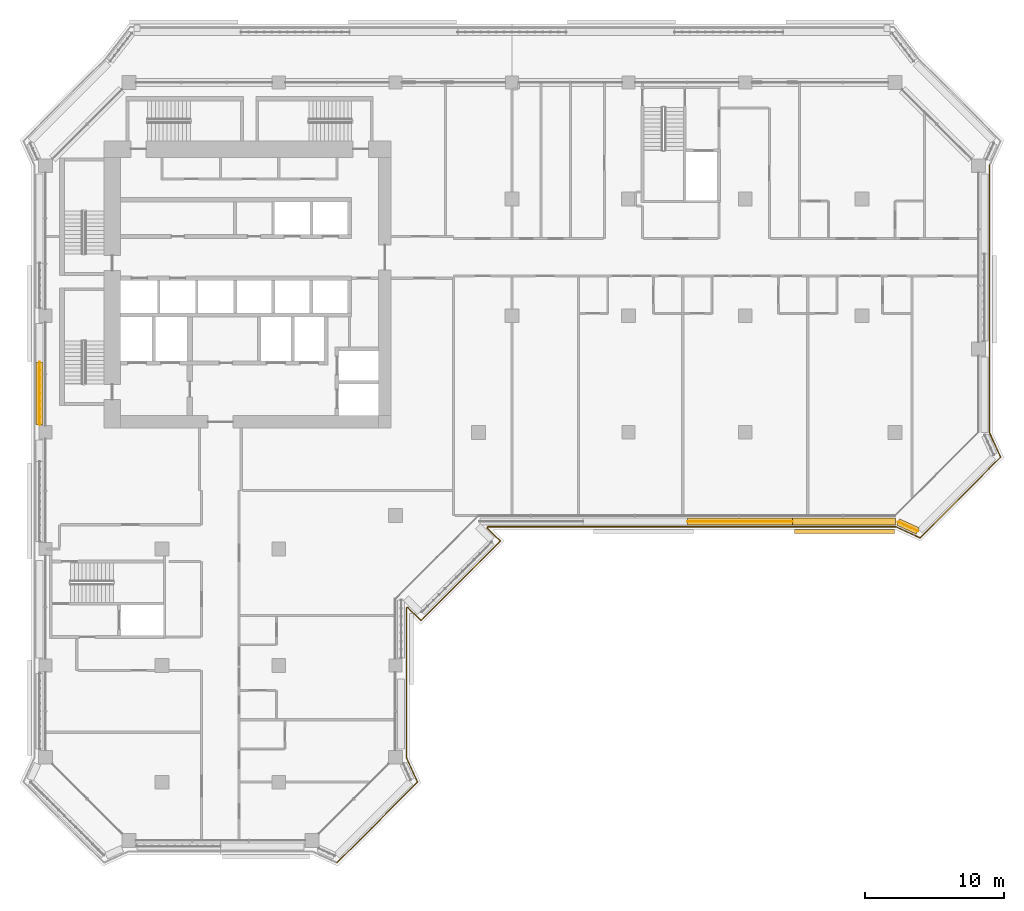
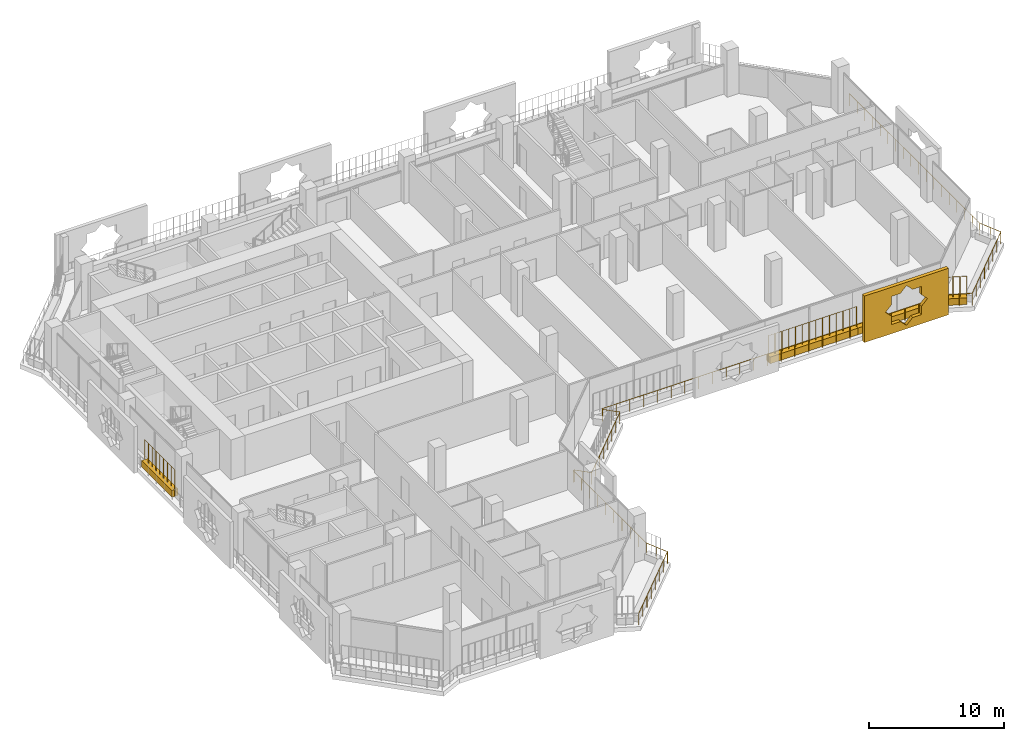
# One storey, part 19 of 22: 5 coverings, 4 railings.
"""IFC4 building model written with IfcOpenShell, lengths in metres."""

from ifc_helpers import new_model, si_unit, direction, frame, origin, origin_2d, place, context, subcontext, project, spatial, polyline, rectangle, circle, outline, extrude, material, material_profile, profile_set, type_object, element, save


model = new_model("IFC4")

# Units and contexts
model_context = context("Model", 3, precision=1e-05, world=origin(), true_north=direction((0.0, 1.0)))
body_context = subcontext(model_context, "Body", "Model", "MODEL_VIEW")
ifc_project = project(units=[si_unit("LENGTHUNIT", "METRE"), si_unit("AREAUNIT", "SQUARE_METRE"), si_unit("VOLUMEUNIT", "CUBIC_METRE"), si_unit("PLANEANGLEUNIT", "RADIAN"), si_unit("MASSUNIT", "GRAM", prefix="KILO")], contexts=[model_context])

# Site, building, storey
site_placement = place(None, origin())
site = spatial("IfcSite", under=ifc_project, at=site_placement, CompositionType="ELEMENT")
building_placement = place(site_placement, origin())
building = spatial("IfcBuilding", under=site, at=building_placement, Name="Kawkab Arch Medical Tower", CompositionType="ELEMENT")
storey_placement = place(building_placement, frame((0.0, 0.0, 187.800048828125)))
storey = spatial("IfcBuildingStorey", under=building, at=storey_placement, Name="L43", CompositionType="ELEMENT", Elevation=187.800048828125)

# Railing
ifc_material_1 = material(Name="Bronze anodised aluminium guard", Category="aluminium")
railing_type_1 = type_object("IfcRailingType", Name="Loggia and terrace guard 1100", PredefinedType="GUARDRAIL", material=ifc_material_1)
railing_1_placement = place(storey_placement, frame((68.0, -5.95703125, 0.0)))
element("IfcRailing", 1, at=railing_1_placement, inside=storey, type_object=railing_type_1, Name="Guard L43.LOG-01.1.2", PredefinedType="GUARDRAIL", context=body_context, shape_type="SweptSolid", body=[
    extrude(circle(Radius=0.02392578125, at=origin_2d()), frame((0.0, 0.0, 1.076171875), z_axis=(0.0, -1.0, 0.0), x_axis=(1.0, 0.0, 0.0)), (0.0, 0.0, 1.0), 19.285888671875),
    extrude(circle(Radius=0.02392578125, at=origin_2d()), frame((0.0, -19.285888671875, 1.076171875), z_axis=(0.414509773934, -0.910044860056, 0.0), x_axis=(0.910044860056, 0.414509773934, 0.0)), (0.0, 0.0, 1.0), 1.92529296875),
    extrude(circle(Radius=0.02392578125, at=origin_2d()), frame((0.798095703125, -21.0380859375, 1.076171875), z_axis=(-0.707106781187, -0.707106781187, 0.0), x_axis=(0.707106781187, -0.707106781187, 0.0)), (0.0, 0.0, 1.0), 8.20654296875),
    extrude(circle(Radius=0.02392578125, at=origin_2d()), frame((-5.0048828125, -26.841064453125, 1.076171875), z_axis=(-0.910044860056, 0.414509773934, 0.0), x_axis=(-0.414509773934, -0.910044860056, 0.0)), (0.0, 0.0, 1.0), 1.92529296875),
    extrude(circle(Radius=0.02392578125, at=origin_2d()), frame((-6.757080078125, -26.04296875, 1.076171875), z_axis=(-1.0, 0.0, 0.0), x_axis=(0.0, -1.0, 0.0)), (0.0, 0.0, 1.0), 29.392822265625),
    extrude(circle(Radius=0.02392578125, at=origin_2d()), frame((-36.14990234375, -26.04296875, 1.076171875), z_axis=(-0.383763674343, -0.923431341387, 0.0), x_axis=(0.923431341387, -0.383763674343, 0.0)), (0.0, 0.0, 1.0), 0.101806640625),
    extrude(circle(Radius=0.02392578125, at=origin_2d()), frame((-36.18896484375, -26.136962890625, 1.076171875), z_axis=(0.707015335112, -0.707198215437, 0.0), x_axis=(0.707198215437, 0.707015335112, 0.0)), (0.0, 0.0, 1.0), 1.3349609375),
    extrude(circle(Radius=0.02392578125, at=origin_2d()), frame((-35.2451171875, -27.0810546875, 1.076171875), z_axis=(-0.707106781187, -0.707106781187, 0.0), x_axis=(0.707106781187, -0.707106781187, 0.0)), (0.0, 0.0, 1.0), 8.084716796875),
    extrude(circle(Radius=0.02392578125, at=origin_2d()), frame((-40.9619140625, -32.7978515625, 1.076171875), z_axis=(-0.707198215437, 0.707015335112, 0.0), x_axis=(-0.707015335112, -0.707198215437, 0.0)), (0.0, 0.0, 1.0), 1.3349609375),
    extrude(circle(Radius=0.02392578125, at=origin_2d()), frame((-41.906005859375, -31.85400390625, 1.076171875), z_axis=(-0.923431341387, -0.383763674343, 0.0), x_axis=(0.383763674343, -0.923431341387, 0.0)), (0.0, 0.0, 1.0), 0.101806640625),
    extrude(circle(Radius=0.02392578125, at=origin_2d()), frame((-42.0, -31.89306640625, 1.076171875), z_axis=(0.0, -1.0, 0.0), x_axis=(1.0, 0.0, 0.0)), (0.0, 0.0, 1.0), 10.79296875),
    extrude(circle(Radius=0.02392578125, at=origin_2d()), frame((-42.0, -42.68603515625, 1.076171875), z_axis=(0.414557610759, -0.910023069687, 0.0), x_axis=(0.910023069687, 0.414557610759, 0.0)), (0.0, 0.0, 1.0), 1.92529296875),
    extrude(circle(Radius=0.02392578125, at=origin_2d()), frame((-41.201904296875, -44.43798828125, 1.076171875), z_axis=(-0.707106781187, -0.707106781187, 0.0), x_axis=(0.707106781187, -0.707106781187, 0.0)), (0.0, 0.0, 1.0), 8.20654296875),
    extrude(circle(Radius=0.02099609375, at=origin_2d()), origin(), (0.0, 0.0, 1.0), 1.052001953125),
    extrude(circle(Radius=0.02099609375, at=origin_2d()), frame((0.0, -1.134521484375, 0.0)), (0.0, 0.0, 1.0), 1.052001953125),
    extrude(circle(Radius=0.02099609375, at=origin_2d()), frame((0.0, -2.26904296875, 0.0)), (0.0, 0.0, 1.0), 1.052001953125),
    extrude(circle(Radius=0.02099609375, at=origin_2d()), frame((0.0, -3.4033203125, 0.0)), (0.0, 0.0, 1.0), 1.052001953125),
    extrude(circle(Radius=0.02099609375, at=origin_2d()), frame((0.0, -4.537841796875, 0.0)), (0.0, 0.0, 1.0), 1.052001953125),
    extrude(circle(Radius=0.02099609375, at=origin_2d()), frame((0.0, -5.67236328125, 0.0)), (0.0, 0.0, 1.0), 1.052001953125),
    extrude(circle(Radius=0.02099609375, at=origin_2d()), frame((0.0, -6.806884765625, 0.0)), (0.0, 0.0, 1.0), 1.052001953125),
    extrude(circle(Radius=0.02099609375, at=origin_2d()), frame((0.0, -7.941162109375, 0.0)), (0.0, 0.0, 1.0), 1.052001953125),
    extrude(circle(Radius=0.02099609375, at=origin_2d()), frame((0.0, -9.07568359375, 0.0)), (0.0, 0.0, 1.0), 1.052001953125),
    extrude(circle(Radius=0.02099609375, at=origin_2d()), frame((0.0, -10.210205078125, 0.0)), (0.0, 0.0, 1.0), 1.052001953125),
    extrude(circle(Radius=0.02099609375, at=origin_2d()), frame((0.0, -11.3447265625, 0.0)), (0.0, 0.0, 1.0), 1.052001953125),
    extrude(circle(Radius=0.02099609375, at=origin_2d()), frame((0.0, -12.47900390625, 0.0)), (0.0, 0.0, 1.0), 1.052001953125),
    extrude(circle(Radius=0.02099609375, at=origin_2d()), frame((0.0, -13.613525390625, 0.0)), (0.0, 0.0, 1.0), 1.052001953125),
    extrude(circle(Radius=0.02099609375, at=origin_2d()), frame((0.0, -14.748046875, 0.0)), (0.0, 0.0, 1.0), 1.052001953125),
    extrude(circle(Radius=0.02099609375, at=origin_2d()), frame((0.0, -15.882568359375, 0.0)), (0.0, 0.0, 1.0), 1.052001953125),
    extrude(circle(Radius=0.02099609375, at=origin_2d()), frame((0.0, -17.016845703125, 0.0)), (0.0, 0.0, 1.0), 1.052001953125),
    extrude(circle(Radius=0.02099609375, at=origin_2d()), frame((0.0, -18.1513671875, 0.0)), (0.0, 0.0, 1.0), 1.052001953125),
    extrude(circle(Radius=0.02099609375, at=origin_2d()), frame((0.0, -19.285888671875, 0.0)), (0.0, 0.0, 1.0), 1.052001953125),
    extrude(circle(Radius=0.02099609375, at=origin_2d()), frame((0.39892578125, -20.162109375, 0.0)), (0.0, 0.0, 1.0), 1.052001953125),
    extrude(circle(Radius=0.02099609375, at=origin_2d()), frame((0.798095703125, -21.0380859375, 0.0)), (0.0, 0.0, 1.0), 1.052001953125),
    extrude(circle(Radius=0.02099609375, at=origin_2d()), frame((-0.031005859375, -21.8671875, 0.0)), (0.0, 0.0, 1.0), 1.052001953125),
    extrude(circle(Radius=0.02099609375, at=origin_2d()), frame((-0.85986328125, -22.696044921875, 0.0)), (0.0, 0.0, 1.0), 1.052001953125),
    extrude(circle(Radius=0.02099609375, at=origin_2d()), frame((-1.68896484375, -23.525146484375, 0.0)), (0.0, 0.0, 1.0), 1.052001953125),
    extrude(circle(Radius=0.02099609375, at=origin_2d()), frame((-2.517822265625, -24.35400390625, 0.0)), (0.0, 0.0, 1.0), 1.052001953125),
    extrude(circle(Radius=0.02099609375, at=origin_2d()), frame((-3.346923828125, -25.18310546875, 0.0)), (0.0, 0.0, 1.0), 1.052001953125),
    extrude(circle(Radius=0.02099609375, at=origin_2d()), frame((-4.17578125, -26.011962890625, 0.0)), (0.0, 0.0, 1.0), 1.052001953125),
    extrude(circle(Radius=0.02099609375, at=origin_2d()), frame((-5.0048828125, -26.841064453125, 0.0)), (0.0, 0.0, 1.0), 1.052001953125),
    extrude(circle(Radius=0.02099609375, at=origin_2d()), frame((-5.880859375, -26.44189453125, 0.0)), (0.0, 0.0, 1.0), 1.052001953125),
    extrude(circle(Radius=0.02099609375, at=origin_2d()), frame((-6.757080078125, -26.04296875, 0.0)), (0.0, 0.0, 1.0), 1.052001953125),
    extrude(circle(Radius=0.02099609375, at=origin_2d()), frame((-7.932861328125, -26.04296875, 0.0)), (0.0, 0.0, 1.0), 1.052001953125),
    extrude(circle(Radius=0.02099609375, at=origin_2d()), frame((-9.1083984375, -26.04296875, 0.0)), (0.0, 0.0, 1.0), 1.052001953125),
    extrude(circle(Radius=0.02099609375, at=origin_2d()), frame((-10.2841796875, -26.04296875, 0.0)), (0.0, 0.0, 1.0), 1.052001953125),
    extrude(circle(Radius=0.02099609375, at=origin_2d()), frame((-11.4599609375, -26.04296875, 0.0)), (0.0, 0.0, 1.0), 1.052001953125),
    extrude(circle(Radius=0.02099609375, at=origin_2d()), frame((-12.6357421875, -26.04296875, 0.0)), (0.0, 0.0, 1.0), 1.052001953125),
    extrude(circle(Radius=0.02099609375, at=origin_2d()), frame((-13.811279296875, -26.04296875, 0.0)), (0.0, 0.0, 1.0), 1.052001953125),
    extrude(circle(Radius=0.02099609375, at=origin_2d()), frame((-14.987060546875, -26.04296875, 0.0)), (0.0, 0.0, 1.0), 1.052001953125),
    extrude(circle(Radius=0.02099609375, at=origin_2d()), frame((-16.162841796875, -26.04296875, 0.0)), (0.0, 0.0, 1.0), 1.052001953125),
    extrude(circle(Radius=0.02099609375, at=origin_2d()), frame((-17.33837890625, -26.04296875, 0.0)), (0.0, 0.0, 1.0), 1.052001953125),
    extrude(circle(Radius=0.02099609375, at=origin_2d()), frame((-18.51416015625, -26.04296875, 0.0)), (0.0, 0.0, 1.0), 1.052001953125),
    extrude(circle(Radius=0.02099609375, at=origin_2d()), frame((-19.68994140625, -26.04296875, 0.0)), (0.0, 0.0, 1.0), 1.052001953125),
    extrude(circle(Radius=0.02099609375, at=origin_2d()), frame((-20.86572265625, -26.04296875, 0.0)), (0.0, 0.0, 1.0), 1.052001953125),
    extrude(circle(Radius=0.02099609375, at=origin_2d()), frame((-22.041259765625, -26.04296875, 0.0)), (0.0, 0.0, 1.0), 1.052001953125),
    extrude(circle(Radius=0.02099609375, at=origin_2d()), frame((-23.217041015625, -26.04296875, 0.0)), (0.0, 0.0, 1.0), 1.052001953125),
    extrude(circle(Radius=0.02099609375, at=origin_2d()), frame((-24.392822265625, -26.04296875, 0.0)), (0.0, 0.0, 1.0), 1.052001953125),
    extrude(circle(Radius=0.02099609375, at=origin_2d()), frame((-25.568603515625, -26.04296875, 0.0)), (0.0, 0.0, 1.0), 1.052001953125),
    extrude(circle(Radius=0.02099609375, at=origin_2d()), frame((-26.744140625, -26.04296875, 0.0)), (0.0, 0.0, 1.0), 1.052001953125),
    extrude(circle(Radius=0.02099609375, at=origin_2d()), frame((-27.919921875, -26.04296875, 0.0)), (0.0, 0.0, 1.0), 1.052001953125),
    extrude(circle(Radius=0.02099609375, at=origin_2d()), frame((-29.095703125, -26.04296875, 0.0)), (0.0, 0.0, 1.0), 1.052001953125),
    extrude(circle(Radius=0.02099609375, at=origin_2d()), frame((-30.271240234375, -26.04296875, 0.0)), (0.0, 0.0, 1.0), 1.052001953125),
    extrude(circle(Radius=0.02099609375, at=origin_2d()), frame((-31.447021484375, -26.04296875, 0.0)), (0.0, 0.0, 1.0), 1.052001953125),
    extrude(circle(Radius=0.02099609375, at=origin_2d()), frame((-32.622802734375, -26.04296875, 0.0)), (0.0, 0.0, 1.0), 1.052001953125),
    extrude(circle(Radius=0.02099609375, at=origin_2d()), frame((-33.798583984375, -26.04296875, 0.0)), (0.0, 0.0, 1.0), 1.052001953125),
    extrude(circle(Radius=0.02099609375, at=origin_2d()), frame((-34.97412109375, -26.04296875, 0.0)), (0.0, 0.0, 1.0), 1.052001953125),
    extrude(circle(Radius=0.02099609375, at=origin_2d()), frame((-36.14990234375, -26.04296875, 0.0)), (0.0, 0.0, 1.0), 1.052001953125),
    extrude(circle(Radius=0.02099609375, at=origin_2d()), frame((-36.18896484375, -26.136962890625, 0.0)), (0.0, 0.0, 1.0), 1.052001953125),
    extrude(circle(Radius=0.02099609375, at=origin_2d()), frame((-35.717041015625, -26.60888671875, 0.0)), (0.0, 0.0, 1.0), 1.052001953125),
    extrude(circle(Radius=0.02099609375, at=origin_2d()), frame((-35.2451171875, -27.0810546875, 0.0)), (0.0, 0.0, 1.0), 1.052001953125),
    extrude(circle(Radius=0.02099609375, at=origin_2d()), frame((-36.061767578125, -27.897705078125, 0.0)), (0.0, 0.0, 1.0), 1.052001953125),
    extrude(circle(Radius=0.02099609375, at=origin_2d()), frame((-36.87841796875, -28.71435546875, 0.0)), (0.0, 0.0, 1.0), 1.052001953125),
    extrude(circle(Radius=0.02099609375, at=origin_2d()), frame((-37.695068359375, -29.531005859375, 0.0)), (0.0, 0.0, 1.0), 1.052001953125),
    extrude(circle(Radius=0.02099609375, at=origin_2d()), frame((-38.511962890625, -30.347900390625, 0.0)), (0.0, 0.0, 1.0), 1.052001953125),
    extrude(circle(Radius=0.02099609375, at=origin_2d()), frame((-39.32861328125, -31.16455078125, 0.0)), (0.0, 0.0, 1.0), 1.052001953125),
    extrude(circle(Radius=0.02099609375, at=origin_2d()), frame((-40.145263671875, -31.981201171875, 0.0)), (0.0, 0.0, 1.0), 1.052001953125),
    extrude(circle(Radius=0.02099609375, at=origin_2d()), frame((-40.9619140625, -32.7978515625, 0.0)), (0.0, 0.0, 1.0), 1.052001953125),
    extrude(circle(Radius=0.02099609375, at=origin_2d()), frame((-41.43408203125, -32.325927734375, 0.0)), (0.0, 0.0, 1.0), 1.052001953125),
    extrude(circle(Radius=0.02099609375, at=origin_2d()), frame((-41.906005859375, -31.85400390625, 0.0)), (0.0, 0.0, 1.0), 1.052001953125),
    extrude(circle(Radius=0.02099609375, at=origin_2d()), frame((-42.0, -31.89306640625, 0.0)), (0.0, 0.0, 1.0), 1.052001953125),
    extrude(circle(Radius=0.02099609375, at=origin_2d()), frame((-42.0, -33.09228515625, 0.0)), (0.0, 0.0, 1.0), 1.052001953125),
    extrude(circle(Radius=0.02099609375, at=origin_2d()), frame((-42.0, -34.29150390625, 0.0)), (0.0, 0.0, 1.0), 1.052001953125),
    extrude(circle(Radius=0.02099609375, at=origin_2d()), frame((-42.0, -35.49072265625, 0.0)), (0.0, 0.0, 1.0), 1.052001953125),
    extrude(circle(Radius=0.02099609375, at=origin_2d()), frame((-42.0, -36.68994140625, 0.0)), (0.0, 0.0, 1.0), 1.052001953125),
    extrude(circle(Radius=0.02099609375, at=origin_2d()), frame((-42.0, -37.88916015625, 0.0)), (0.0, 0.0, 1.0), 1.052001953125),
    extrude(circle(Radius=0.02099609375, at=origin_2d()), frame((-42.0, -39.08837890625, 0.0)), (0.0, 0.0, 1.0), 1.052001953125),
    extrude(circle(Radius=0.02099609375, at=origin_2d()), frame((-42.0, -40.28759765625, 0.0)), (0.0, 0.0, 1.0), 1.052001953125),
    extrude(circle(Radius=0.02099609375, at=origin_2d()), frame((-42.0, -41.48681640625, 0.0)), (0.0, 0.0, 1.0), 1.052001953125),
    extrude(circle(Radius=0.02099609375, at=origin_2d()), frame((-42.0, -42.68603515625, 0.0)), (0.0, 0.0, 1.0), 1.052001953125),
    extrude(circle(Radius=0.02099609375, at=origin_2d()), frame((-41.60107421875, -43.56201171875, 0.0)), (0.0, 0.0, 1.0), 1.052001953125),
    extrude(circle(Radius=0.02099609375, at=origin_2d()), frame((-41.201904296875, -44.43798828125, 0.0)), (0.0, 0.0, 1.0), 1.052001953125),
    extrude(circle(Radius=0.02099609375, at=origin_2d()), frame((-42.031005859375, -45.26708984375, 0.0)), (0.0, 0.0, 1.0), 1.052001953125),
    extrude(circle(Radius=0.02099609375, at=origin_2d()), frame((-42.85986328125, -46.095947265625, 0.0)), (0.0, 0.0, 1.0), 1.052001953125),
    extrude(circle(Radius=0.02099609375, at=origin_2d()), frame((-43.68896484375, -46.925048828125, 0.0)), (0.0, 0.0, 1.0), 1.052001953125),
    extrude(circle(Radius=0.02099609375, at=origin_2d()), frame((-44.517822265625, -47.75390625, 0.0)), (0.0, 0.0, 1.0), 1.052001953125),
    extrude(circle(Radius=0.02099609375, at=origin_2d()), frame((-45.346923828125, -48.5830078125, 0.0)), (0.0, 0.0, 1.0), 1.052001953125),
    extrude(circle(Radius=0.02099609375, at=origin_2d()), frame((-46.17578125, -49.411865234375, 0.0)), (0.0, 0.0, 1.0), 1.052001953125),
    extrude(circle(Radius=0.02099609375, at=origin_2d()), frame((-47.0048828125, -50.240966796875, 0.0)), (0.0, 0.0, 1.0), 1.052001953125),
])

# Coverings
ifc_material_2 = material(Name="Bronze anodised aluminium mashrabiya panel, eight-point star pattern", Category="aluminium")
ifc_material_profile_1 = material_profile(ifc_material_2, outline(polyline([(-3.60009765625, -2.10009765625), (3.60009765625, -2.10009765625), (3.60009765625, 2.10009765625), (-3.60009765625, 2.10009765625), (-3.60009765625, -2.10009765625)]), holes=[polyline([(1.800048828125, 0.0), (1.272705078125, 0.527099609375), (1.272705078125, 1.272705078125), (0.527099609375, 1.272705078125), (0.0, 1.800048828125), (-0.527099609375, 1.272705078125), (-1.272705078125, 1.272705078125), (-1.272705078125, 0.527099609375), (-1.800048828125, 0.0), (-1.272705078125, -0.527099609375), (-1.272705078125, -1.272705078125), (-0.527099609375, -1.272705078125), (0.0, -1.800048828125), (0.527099609375, -1.272705078125), (1.272705078125, -1.272705078125), (1.272705078125, -0.527099609375), (1.800048828125, 0.0)])]), Name="Mashrabiya panel 7200x4200")
ifc_profile_set_1 = profile_set([ifc_material_profile_1], Name="Bronze anodised aluminium mashrabiya panel, eight-point star pattern")
covering_type_1 = type_object("IfcCoveringType", Name="Mashrabiya panel 7200 x 4200", PredefinedType="USERDEFINED", material=ifc_profile_set_1)
covering_1_placement = place(storey_placement, frame((57.5546875, -32.199951171875, 1.699951171875), z_axis=(0.0, -1.0, 0.0), x_axis=(1.0, 0.0, 0.0)))
element("IfcCovering", 2, at=covering_1_placement, inside=storey, type_object=covering_type_1, Name="Mashrabiya panel L43.LOG-01-01.10", ObjectType="SCREEN", PredefinedType="USERDEFINED", context=body_context, shape_type="SweptSolid", body=[
    extrude(outline(polyline([(-3.60009765625, -2.10009765625), (3.60009765625, -2.10009765625), (3.60009765625, 2.10009765625), (-3.60009765625, 2.10009765625), (-3.60009765625, -2.10009765625)]), holes=[polyline([(1.800048828125, 0.0), (1.272705078125, 0.527099609375), (1.272705078125, 1.272705078125), (0.527099609375, 1.272705078125), (0.0, 1.800048828125), (-0.527099609375, 1.272705078125), (-1.272705078125, 1.272705078125), (-1.272705078125, 0.527099609375), (-1.800048828125, 0.0), (-1.272705078125, -0.527099609375), (-1.272705078125, -1.272705078125), (-0.527099609375, -1.272705078125), (0.0, -1.800048828125), (0.527099609375, -1.272705078125), (1.272705078125, -1.272705078125), (1.272705078125, -0.527099609375), (1.800048828125, 0.0)])]), origin(), (0.0, 0.0, 1.0), 0.300048828125),
])
ifc_material_3 = material(Name="Planting soil in a precast trough", Category="concrete")
ifc_material_profile_2 = material_profile(ifc_material_3, rectangle(XDim=0.5, YDim=0.60009765625, at=origin_2d()), Name="Trough 500x600")
ifc_profile_set_2 = profile_set([ifc_material_profile_2], Name="Planting soil in a precast trough")
covering_type_2 = type_object("IfcCoveringType", Name="Planter trough 500 x 600", PredefinedType="USERDEFINED", material=ifc_profile_set_2)
covering_2_placement = place(storey_placement, frame((-0.419921875, -24.64501953125, 0.300048828125), z_axis=(0.0, 1.0, 0.0), x_axis=(-1.0, 0.0, 0.0)))
element("IfcCovering", 3, at=covering_2_placement, inside=storey, type_object=covering_type_2, Name="Planter L43.LOG-01-01.11", ObjectType="PLANTER", PredefinedType="USERDEFINED", context=body_context, shape_type="SweptSolid", body=[
    extrude(rectangle(XDim=0.5, YDim=0.60009765625, at=origin_2d()), origin(), (0.0, 0.0, 1.0), 4.487060546875),
])
covering_3_placement = place(storey_placement, frame((62.821044921875, -32.302001953125, 0.300048828125), z_axis=(-0.909655525109, 0.415363486165, 0.0), x_axis=(-0.415363486165, -0.909655525109, 0.0)))
element("IfcCovering", 4, at=covering_3_placement, inside=storey, type_object=covering_type_2, Name="Planter L43.LOG-01-01.33", ObjectType="PLANTER", PredefinedType="USERDEFINED", context=body_context, shape_type="SweptSolid", body=[
    extrude(rectangle(XDim=0.5, YDim=0.60009765625, at=origin_2d()), origin(), (0.0, 0.0, 1.0), 1.54345703125),
])
covering_4_placement = place(storey_placement, frame((61.22607421875, -31.6201171875, 0.300048828125), z_axis=(-1.0, 0.0, 0.0), x_axis=(0.0, -1.0, 0.0)))
element("IfcCovering", 5, at=covering_4_placement, inside=storey, type_object=covering_type_2, Name="Planter L43.LOG-01-01.34", ObjectType="PLANTER", PredefinedType="USERDEFINED", context=body_context, shape_type="SweptSolid", body=[
    extrude(rectangle(XDim=0.5, YDim=0.60009765625, at=origin_2d()), origin(), (0.0, 0.0, 1.0), 7.43505859375),
])
covering_5_placement = place(storey_placement, frame((53.791015625, -31.6201171875, 0.300048828125), z_axis=(-1.0, 0.0, 0.0), x_axis=(0.0, -1.0, 0.0)))
element("IfcCovering", 6, at=covering_5_placement, inside=storey, type_object=covering_type_2, Name="Planter L43.LOG-01-01.35", ObjectType="PLANTER", PredefinedType="USERDEFINED", context=body_context, shape_type="SweptSolid", body=[
    extrude(rectangle(XDim=0.5, YDim=0.60009765625, at=origin_2d()), origin(), (0.0, 0.0, 1.0), 7.5361328125),
])

# Railings
ifc_material_4 = material(Name="Bronze anodised aluminium trellis for climbing plants", Category="aluminium")
railing_type_2 = type_object("IfcRailingType", Name="Planting trellis 2400", PredefinedType="USERDEFINED", material=ifc_material_4)
railing_2_placement = place(storey_placement, frame((-0.419921875, -24.64501953125, 0.0)))
element("IfcRailing", 7, at=railing_2_placement, inside=storey, type_object=railing_type_2, Name="Planting trellis L43.LOG-01-01.11", ObjectType="TRELLIS", PredefinedType="USERDEFINED", context=body_context, shape_type="SweptSolid", body=[
    extrude(circle(Radius=0.01513671875, at=origin_2d()), frame((0.0, 0.0, 2.384765625), z_axis=(0.0, 1.0, 0.0), x_axis=(-1.0, 0.0, 0.0)), (0.0, 0.0, 1.0), 4.487060546875),
    extrude(circle(Radius=0.030029296875, at=origin_2d()), origin(), (0.0, 0.0, 1.0), 2.369873046875),
    extrude(circle(Radius=0.030029296875, at=origin_2d()), frame((0.0, 0.560791015625, 0.0)), (0.0, 0.0, 1.0), 2.369873046875),
    extrude(circle(Radius=0.030029296875, at=origin_2d()), frame((0.0, 1.121826171875, 0.0)), (0.0, 0.0, 1.0), 2.369873046875),
    extrude(circle(Radius=0.030029296875, at=origin_2d()), frame((0.0, 1.6826171875, 0.0)), (0.0, 0.0, 1.0), 2.369873046875),
    extrude(circle(Radius=0.030029296875, at=origin_2d()), frame((0.0, 2.24365234375, 0.0)), (0.0, 0.0, 1.0), 2.369873046875),
    extrude(circle(Radius=0.030029296875, at=origin_2d()), frame((0.0, 2.804443359375, 0.0)), (0.0, 0.0, 1.0), 2.369873046875),
    extrude(circle(Radius=0.030029296875, at=origin_2d()), frame((0.0, 3.365234375, 0.0)), (0.0, 0.0, 1.0), 2.369873046875),
    extrude(circle(Radius=0.030029296875, at=origin_2d()), frame((0.0, 3.92626953125, 0.0)), (0.0, 0.0, 1.0), 2.369873046875),
    extrude(circle(Radius=0.030029296875, at=origin_2d()), frame((0.0, 4.487060546875, 0.0)), (0.0, 0.0, 1.0), 2.369873046875),
])
railing_3_placement = place(storey_placement, frame((62.821044921875, -32.302001953125, 0.0)))
element("IfcRailing", 8, at=railing_3_placement, inside=storey, type_object=railing_type_2, Name="Planting trellis L43.LOG-01-01.33", ObjectType="TRELLIS", PredefinedType="USERDEFINED", context=body_context, shape_type="SweptSolid", body=[
    extrude(circle(Radius=0.01513671875, at=origin_2d()), frame((0.0, 0.0, 2.384765625), z_axis=(-0.909655525109, 0.415363486165, 0.0), x_axis=(-0.415363486165, -0.909655525109, 0.0)), (0.0, 0.0, 1.0), 1.54345703125),
    extrude(circle(Radius=0.030029296875, at=origin_2d()), origin(), (0.0, 0.0, 1.0), 2.369873046875),
    extrude(circle(Radius=0.030029296875, at=origin_2d()), frame((-0.468017578125, 0.213623046875, 0.0)), (0.0, 0.0, 1.0), 2.369873046875),
    extrude(circle(Radius=0.030029296875, at=origin_2d()), frame((-0.93603515625, 0.427490234375, 0.0)), (0.0, 0.0, 1.0), 2.369873046875),
    extrude(circle(Radius=0.030029296875, at=origin_2d()), frame((-1.404052734375, 0.64111328125, 0.0)), (0.0, 0.0, 1.0), 2.369873046875),
])
railing_4_placement = place(storey_placement, frame((53.791015625, -31.6201171875, 0.0)))
element("IfcRailing", 9, at=railing_4_placement, inside=storey, type_object=railing_type_2, Name="Planting trellis L43.LOG-01-01.35", ObjectType="TRELLIS", PredefinedType="USERDEFINED", context=body_context, shape_type="SweptSolid", body=[
    extrude(circle(Radius=0.01513671875, at=origin_2d()), frame((0.0, 0.0, 2.384765625), z_axis=(-1.0, 0.0, 0.0), x_axis=(0.0, -1.0, 0.0)), (0.0, 0.0, 1.0), 7.5361328125),
    extrude(circle(Radius=0.030029296875, at=origin_2d()), origin(), (0.0, 0.0, 1.0), 2.369873046875),
    extrude(circle(Radius=0.030029296875, at=origin_2d()), frame((-0.57958984375, 0.0, 0.0)), (0.0, 0.0, 1.0), 2.369873046875),
    extrude(circle(Radius=0.030029296875, at=origin_2d()), frame((-1.159423828125, 0.0, 0.0)), (0.0, 0.0, 1.0), 2.369873046875),
    extrude(circle(Radius=0.030029296875, at=origin_2d()), frame((-1.739013671875, 0.0, 0.0)), (0.0, 0.0, 1.0), 2.369873046875),
    extrude(circle(Radius=0.030029296875, at=origin_2d()), frame((-2.31884765625, 0.0, 0.0)), (0.0, 0.0, 1.0), 2.369873046875),
    extrude(circle(Radius=0.030029296875, at=origin_2d()), frame((-2.8984375, 0.0, 0.0)), (0.0, 0.0, 1.0), 2.369873046875),
    extrude(circle(Radius=0.030029296875, at=origin_2d()), frame((-3.478271484375, 0.0, 0.0)), (0.0, 0.0, 1.0), 2.369873046875),
    extrude(circle(Radius=0.030029296875, at=origin_2d()), frame((-4.057861328125, 0.0, 0.0)), (0.0, 0.0, 1.0), 2.369873046875),
    extrude(circle(Radius=0.030029296875, at=origin_2d()), frame((-4.6376953125, 0.0, 0.0)), (0.0, 0.0, 1.0), 2.369873046875),
    extrude(circle(Radius=0.030029296875, at=origin_2d()), frame((-5.21728515625, 0.0, 0.0)), (0.0, 0.0, 1.0), 2.369873046875),
    extrude(circle(Radius=0.030029296875, at=origin_2d()), frame((-5.797119140625, 0.0, 0.0)), (0.0, 0.0, 1.0), 2.369873046875),
    extrude(circle(Radius=0.030029296875, at=origin_2d()), frame((-6.376708984375, 0.0, 0.0)), (0.0, 0.0, 1.0), 2.369873046875),
    extrude(circle(Radius=0.030029296875, at=origin_2d()), frame((-6.95654296875, 0.0, 0.0)), (0.0, 0.0, 1.0), 2.369873046875),
    extrude(circle(Radius=0.030029296875, at=origin_2d()), frame((-7.5361328125, 0.0, 0.0)), (0.0, 0.0, 1.0), 2.369873046875),
])

save(model, "model.ifc")
